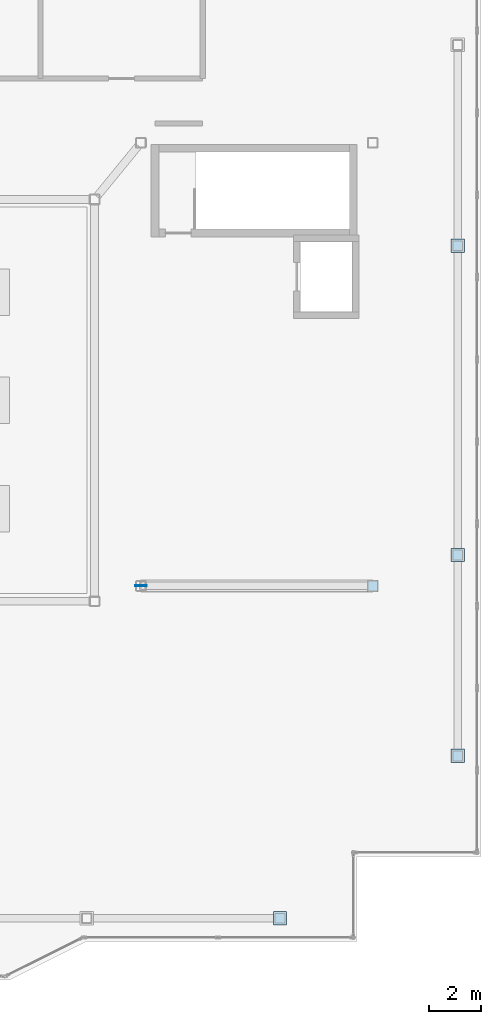
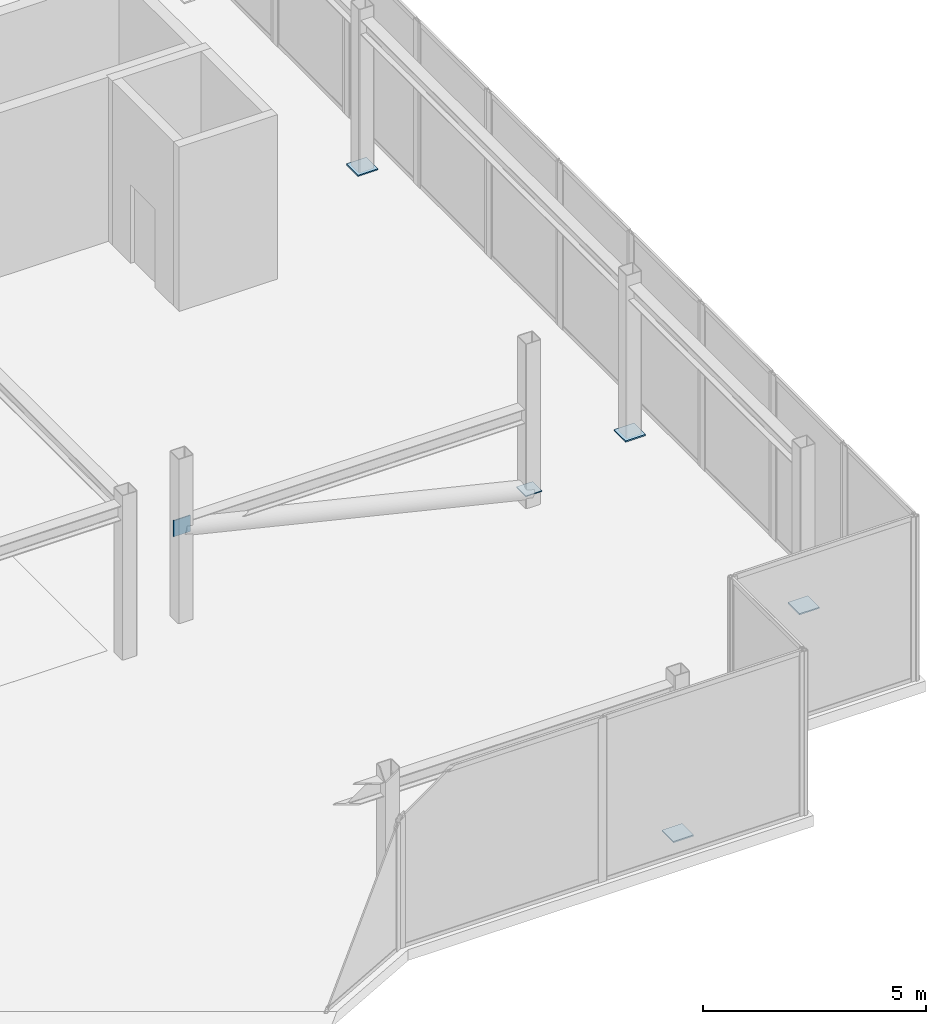
# One storey, part 16 of 18: 6 plates.
"""IFC4 building model written with IfcOpenShell, lengths in metres."""

from ifc_helpers import new_model, si_unit, direction, frame, origin, origin_2d, place, context, subcontext, project, spatial, rectangle, extrude, material, layer, layer_set, type_object, element, save


model = new_model("IFC4")

# Units and contexts
model_context = context("Model", 3, precision=1e-05, world=origin(), true_north=direction((0.0, 1.0)))
body_context = subcontext(model_context, "Body", "Model", "MODEL_VIEW")
ifc_project = project(units=[si_unit("LENGTHUNIT", "METRE"), si_unit("AREAUNIT", "SQUARE_METRE"), si_unit("VOLUMEUNIT", "CUBIC_METRE"), si_unit("PLANEANGLEUNIT", "RADIAN"), si_unit("MASSUNIT", "GRAM", prefix="KILO")], contexts=[model_context])

# Site, building, storey
site_placement = place(None, origin())
site = spatial("IfcSite", under=ifc_project, at=site_placement, CompositionType="ELEMENT")
building_placement = place(site_placement, origin())
building = spatial("IfcBuilding", under=site, at=building_placement, Name="Tarnavaz Court Tower", CompositionType="ELEMENT")
storey_placement = place(building_placement, frame((0.0, 0.0, 281.550048828125)))
storey = spatial("IfcBuildingStorey", under=building, at=storey_placement, Name="C01", CompositionType="ELEMENT", Elevation=281.550048828125)

# Plates
ifc_material = material(Name="Steel S355", Category="steel")
ifc_layer_1 = layer(ifc_material, 0.034912109375)
ifc_layer_set_1 = layer_set([ifc_layer_1], Name="Steel S355")
plate_type_1 = type_object("IfcPlateType", Name="PL-BASE-35", PredefinedType="USERDEFINED", material=ifc_layer_set_1)
for number, where, z_axis, x_axis, name in (
    (1, (15.0, -20.10009765625, 0.0), (0.0, 0.0, 1.0), (1.0, 0.0, 0.0), "C01 Crown Frame Post Base Plate PS-4"),
    (2, (21.89990234375, -13.800048828125, 0.0), (0.0, 0.0, 1.0), (1.0, 0.0, 0.0), "C01 Crown Frame Post Base Plate PE-1"),
    (3, (21.89990234375, -6.0, 0.0), (0.0, 0.0, 1.0), (1.0, 0.0, 0.0), "C01 Crown Frame Post Base Plate PE-2"),
    (4, (21.89990234375, 6.0, 0.0), (0.0, 0.0, 1.0), (1.0, 0.0, 0.0), "C01 Crown Frame Post Base Plate PE-3"),
):
    element("IfcPlate", number, at=place(storey_placement, frame(where, z_axis=z_axis, x_axis=x_axis)), inside=storey, type_object=plate_type_1, Name=name, ObjectType="BASE PLATE", PredefinedType="USERDEFINED", context=body_context, shape_type="SweptSolid", body=[
        extrude(rectangle(XDim=0.52001953125, YDim=0.52001953125, at=origin_2d()), origin(), (0.0, 0.0, 1.0), 0.034912109375),
    ])
ifc_layer_2 = layer(ifc_material, 0.02490234375)
ifc_layer_set_2 = layer_set([ifc_layer_2], Name="Steel S355")
plate_type_2 = type_object("IfcPlateType", Name="PL-CAP-25", PredefinedType="USERDEFINED", material=ifc_layer_set_2)
plate_1_placement = place(storey_placement, frame((18.60009765625, -7.199951171875, 0.33740234375), z_axis=(0.0, 0.0, 1.0), x_axis=(1.0, 0.0, 0.0)))
element("IfcPlate", 5, at=plate_1_placement, inside=storey, type_object=plate_type_2, Name="C01 Crown Brace Node Cap Plate E", ObjectType="CAP PLATE", PredefinedType="USERDEFINED", context=body_context, shape_type="SweptSolid", body=[
    extrude(rectangle(XDim=0.419921875, YDim=0.419921875, at=origin_2d()), origin(), (0.0, 0.0, 1.0), 0.02490234375),
])
ifc_layer_3 = layer(ifc_material, 0.030029296875)
ifc_layer_set_3 = layer_set([ifc_layer_3], Name="Steel S355")
plate_type_3 = type_object("IfcPlateType", Name="PL-GUSSET-30", PredefinedType="USERDEFINED", material=ifc_layer_set_3)
plate_2_placement = place(storey_placement, frame((9.60009765625, -7.199951171875, 2.280029296875), z_axis=(0.0, 0.0, 1.0), x_axis=(1.0, 0.0, 0.0)))
element("IfcPlate", 6, at=plate_2_placement, inside=storey, type_object=plate_type_3, Name="C01 Structural Brace & Strut End Gusset Plate 148", ObjectType="GUSSET PLATE", PredefinedType="USERDEFINED", context=body_context, shape_type="SweptSolid", body=[
    extrude(rectangle(XDim=0.43994140625, YDim=0.030029296875, at=origin_2d()), origin(), (0.0, 0.0, 1.0), 0.43994140625),
])

save(model, "model.ifc")
